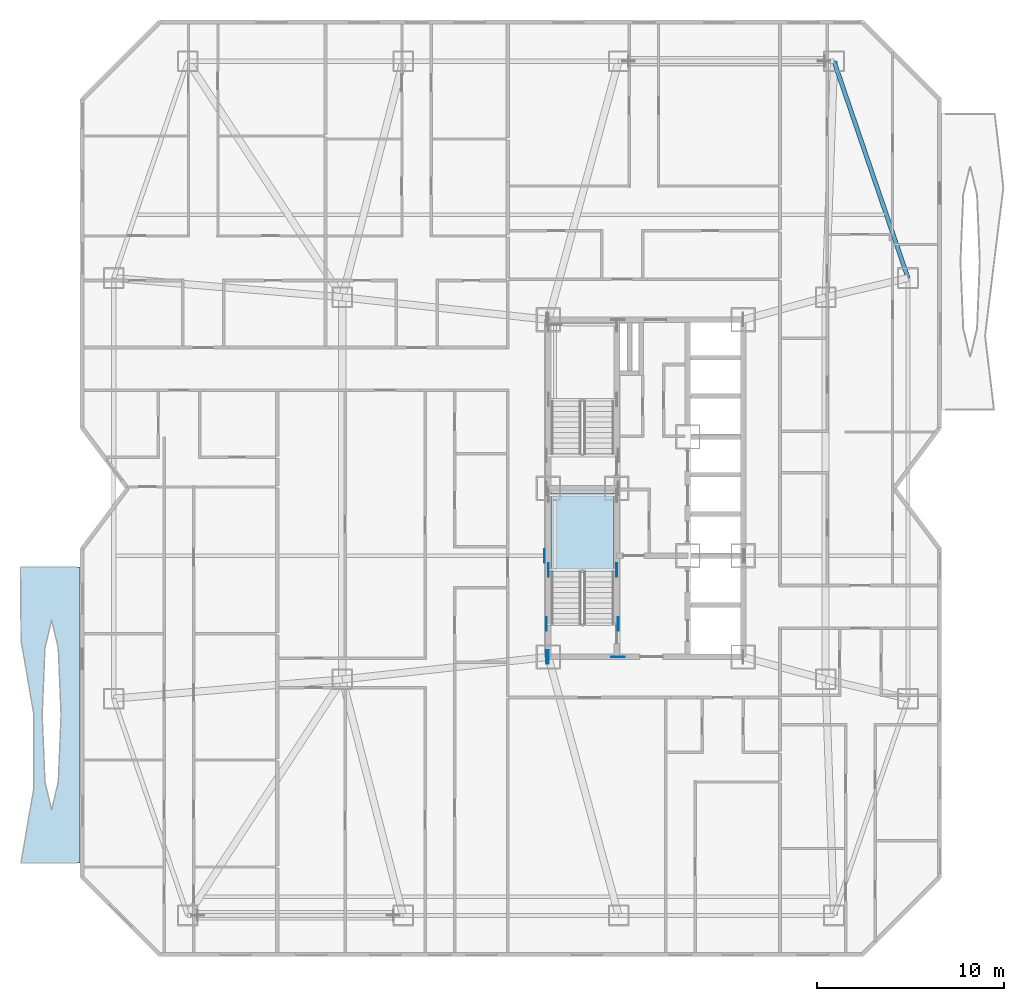
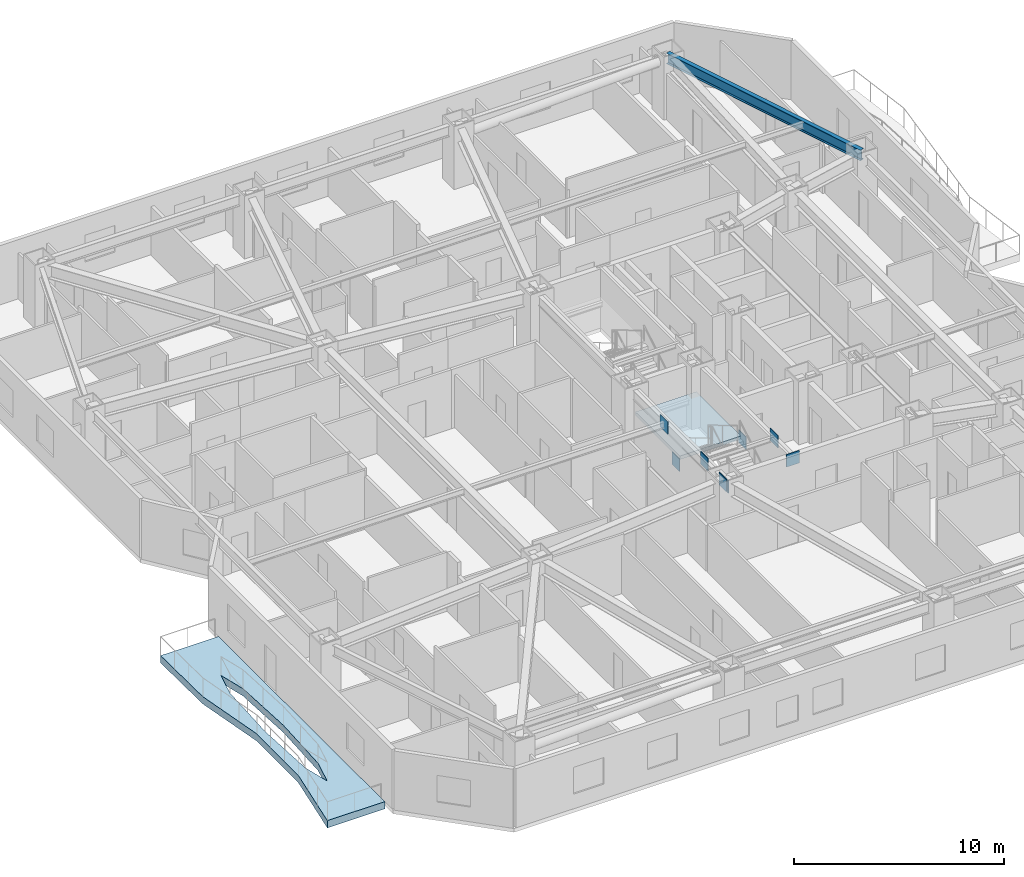
# One storey, part 2 of 16: 8 plates, 2 slabs, 1 beam, 1 element without a shape of its own.
"""IFC4 building model written with IfcOpenShell, lengths in metres."""

from ifc_helpers import new_model, si_unit, direction, frame, origin, origin_2d, place, context, subcontext, project, spatial, polyline, rectangle, i_section, outline, extrude, material, layer, layer_set, material_profile, profile_set, type_object, element, aggregate, save


model = new_model("IFC4")

# Units and contexts
model_context = context("Model", 3, precision=1e-05, world=origin(), true_north=direction((0.0, 1.0)))
body_context = subcontext(model_context, "Body", "Model", "MODEL_VIEW")
ifc_project = project(units=[si_unit("LENGTHUNIT", "METRE"), si_unit("AREAUNIT", "SQUARE_METRE"), si_unit("VOLUMEUNIT", "CUBIC_METRE"), si_unit("PLANEANGLEUNIT", "RADIAN"), si_unit("MASSUNIT", "GRAM", prefix="KILO")], contexts=[model_context])

# Site, building, storey
site_placement = place(None, origin())
site = spatial("IfcSite", under=ifc_project, at=site_placement, CompositionType="ELEMENT")
building_placement = place(site_placement, origin())
building = spatial("IfcBuilding", under=site, at=building_placement, Name="Khamvora Tower", CompositionType="ELEMENT")
storey_placement = place(building_placement, frame((0.0, 0.0, 66.14990234375)))
storey = spatial("IfcBuildingStorey", under=building, at=storey_placement, Name="L16", CompositionType="ELEMENT", Elevation=66.14990234375)

# Beam
ifc_material_1 = material(Name="Steel S355", Category="steel")
ifc_material_profile = material_profile(ifc_material_1, i_section(OverallWidth=0.22998046875, OverallDepth=0.616943359375, WebThickness=0.012939453125, FlangeThickness=0.02197265625, FilletRadius=0.013916015625, at=origin_2d()), Name="W610x140")
ifc_profile_set = profile_set([ifc_material_profile], Name="Steel S355")
beam_type = type_object("IfcBeamType", Name="BM-SP-W610x140", PredefinedType="SPANDREL", material=ifc_profile_set)
beam_placement = place(storey_placement, frame((48.199951171875, 39.22509765625, 3.1220703125), z_axis=(-0.322962893199, 0.946411628002, 0.0), x_axis=(-0.946411628002, -0.322962893199, 0.0)))
element("IfcBeam", 1, at=beam_placement, inside=storey, type_object=beam_type, Name="L16 perimeter spandrel beam E2-N4", PredefinedType="SPANDREL", context=body_context, shape_type="SweptSolid", body=[
    extrude(i_section(OverallWidth=0.22998046875, OverallDepth=0.616943359375, WebThickness=0.012939453125, FlangeThickness=0.02197265625, FilletRadius=0.013916015625, at=origin_2d()), origin(), (0.0, 0.0, 1.0), 12.23046875),
])

# Plates
ifc_material_2 = material(Name="Steel S460", Category="steel")
ifc_layer_1 = layer(ifc_material_2, 0.034912109375)
ifc_layer_set_1 = layer_set([ifc_layer_1], Name="Steel S460")
plate_type = type_object("IfcPlateType", Name="PL-EMB-35", PredefinedType="SHEET", material=ifc_layer_set_1)
for number, where, z_axis, x_axis, name in (
    (2, (29.0, 23.635009765625, 1.13427734375), (0.0, 0.0, 1.0), (1.0, 0.0, 0.0), "L16 core shear wall cast-in embed plate 0478"),
    (3, (32.64990234375, 23.635009765625, 1.13427734375), (0.0, 0.0, 1.0), (1.0, 0.0, 0.0), "L16 core shear wall cast-in embed plate 0479"),
    (4, (29.0, 19.0, 2.68408203125), (0.0, 0.0, 1.0), (1.0, 0.0, 0.0), "L16 core shear wall cast-in embed plate 0487"),
    (5, (28.89990234375, 19.0, 2.80419921875), (0.0, 0.0, 1.0), (1.0, 0.0, 0.0), "L16 core shear wall cast-in embed plate 0491"),
):
    element("IfcPlate", number, at=place(storey_placement, frame(where, z_axis=z_axis, x_axis=x_axis)), inside=storey, type_object=plate_type, Name=name, PredefinedType="SHEET", context=body_context, shape_type="SweptSolid", body=[
        extrude(rectangle(XDim=0.034912109375, YDim=0.719970703125, at=origin_2d()), origin(), (0.0, 0.0, 1.0), 0.719970703125),
    ])
plate_placement = place(storey_placement, frame((32.72998046875, 19.0, 2.80419921875), z_axis=(0.0, 0.0, 1.0), x_axis=(1.0, 0.0, 0.0)))
element("IfcPlate", 6, at=plate_placement, inside=storey, type_object=plate_type, Name="L16 core shear wall cast-in embed plate 0494", PredefinedType="SHEET", context=body_context, shape_type="SweptSolid", body=[
    extrude(rectangle(XDim=0.719970703125, YDim=0.034912109375, at=origin_2d()), origin(), (0.0, 0.0, 1.0), 0.719970703125),
])
for number, where, z_axis, x_axis, name in (
    (7, (28.89990234375, 20.75, 2.9443359375), (0.0, 0.0, 1.0), (1.0, 0.0, 0.0), "L16 core shear wall cast-in embed plate 0500"),
    (8, (32.72998046875, 20.75, 2.9443359375), (0.0, 0.0, 1.0), (1.0, 0.0, 0.0), "L16 core shear wall cast-in embed plate 0501"),
    (9, (28.800048828125, 24.39990234375, 2.89306640625), (0.0, 0.0, 1.0), (1.0, 0.0, 0.0), "L16 core shear wall cast-in embed plate 0504"),
):
    element("IfcPlate", number, at=place(storey_placement, frame(where, z_axis=z_axis, x_axis=x_axis)), inside=storey, type_object=plate_type, Name=name, PredefinedType="SHEET", context=body_context, shape_type="SweptSolid", body=[
        extrude(rectangle(XDim=0.034912109375, YDim=0.719970703125, at=origin_2d()), origin(), (0.0, 0.0, 1.0), 0.719970703125),
    ])

# Slab
ifc_material_3 = material(Name="Concrete C40/50", Category="concrete")
ifc_layer_2 = layer(ifc_material_3, 0.419921875)
ifc_layer_set_2 = layer_set([ifc_layer_2], Name="Concrete C40/50")
slab_type_1 = type_object("IfcSlabType", Name="SLB-GRD-420", PredefinedType="FLOOR", material=ifc_layer_set_2)
slab_1_placement = place(storey_placement, frame((0.0, 0.0, -0.419921875)))
element("IfcSlab", 10, at=slab_1_placement, inside=storey, type_object=slab_type_1, Name="L16 external lens gallery slab WL1", PredefinedType="FLOOR", context=body_context, shape_type="SweptSolid", body=[
    extrude(outline(polyline([(4.0, 8.0), (4.0, 23.800048828125), (0.821044921875, 23.800048828125), (0.85791015625, 19.85009765625), (1.541015625, 15.89990234375), (1.530029296875, 11.949951171875), (0.847900390625, 8.0), (4.0, 8.0)]), holes=[polyline([(2.989013671875, 15.89990234375), (2.841064453125, 19.47509765625), (2.485107421875, 20.9560546875), (2.12890625, 19.47509765625), (1.98095703125, 15.89990234375), (2.12890625, 12.324951171875), (2.485107421875, 10.843994140625), (2.841064453125, 12.324951171875), (2.989013671875, 15.89990234375)])]), origin(), (0.0, 0.0, 1.0), 0.419921875),
])

# Stair, slab
stair_type = type_object("IfcStairType", Name="STR-ST-01", PredefinedType="HALF_TURN_STAIR", material=ifc_material_3)
stair_placement = place(storey_placement, origin())
stair = element("IfcStair", 11, at=stair_placement, inside=storey, type_object=stair_type, Name="L16 South Tower Exit Stair ST-01", PredefinedType="HALF_TURN_STAIR")
ifc_layer_3 = layer(ifc_material_3, 0.199951171875)
ifc_layer_set_3 = layer_set([ifc_layer_3], Name="Concrete C40/50")
slab_type_2 = type_object("IfcSlabType", Name="SLB-LND-200", PredefinedType="LANDING", material=ifc_layer_set_3)
slab_2_placement = place(storey_placement, frame((0.0, 0.0, 1.625)))
slab_2 = element("IfcSlab", 12, at=slab_2_placement, type_object=slab_type_2, Name="ST-01 landing 1", PredefinedType="LANDING", context=body_context, shape_type="SweptSolid", body=[
    extrude(outline(polyline([(32.5, 23.514892578125), (32.5, 27.75), (29.14990234375, 27.75), (29.14990234375, 23.514892578125), (32.5, 23.514892578125)])), origin(), (0.0, 0.0, 1.0), 0.2001953125),
])
aggregate(stair, [slab_2])

save(model, "model.ifc")
